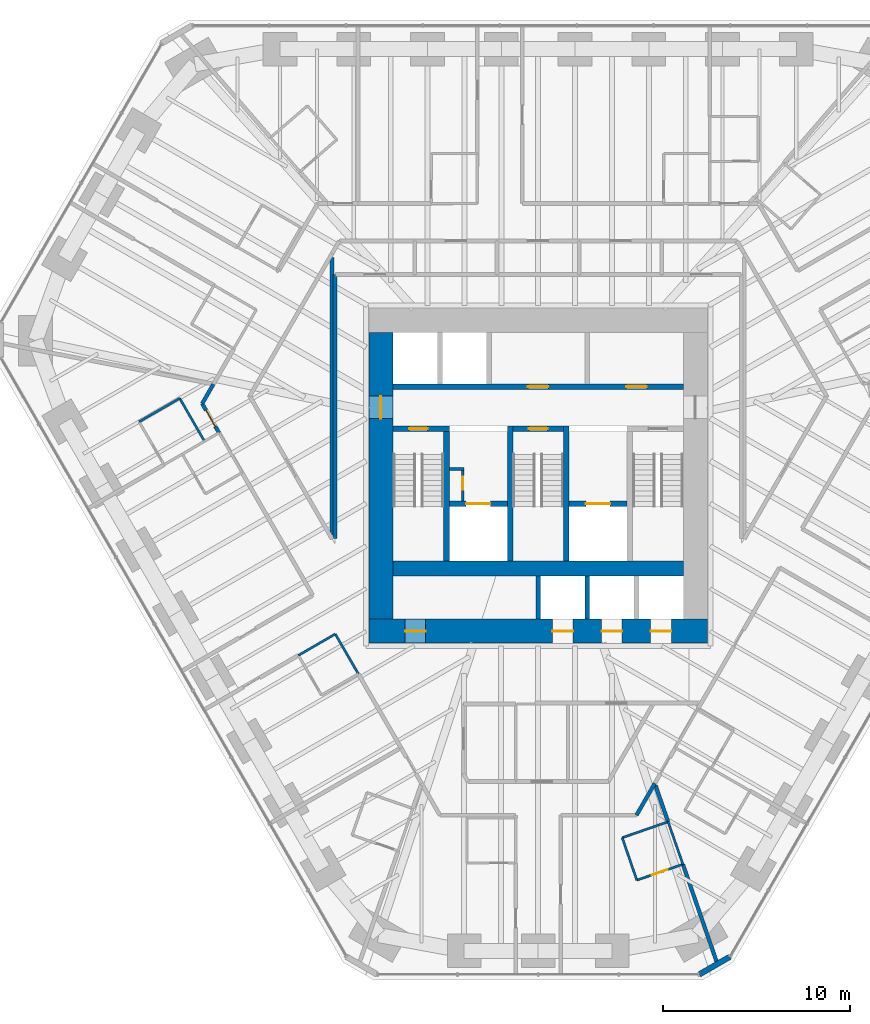
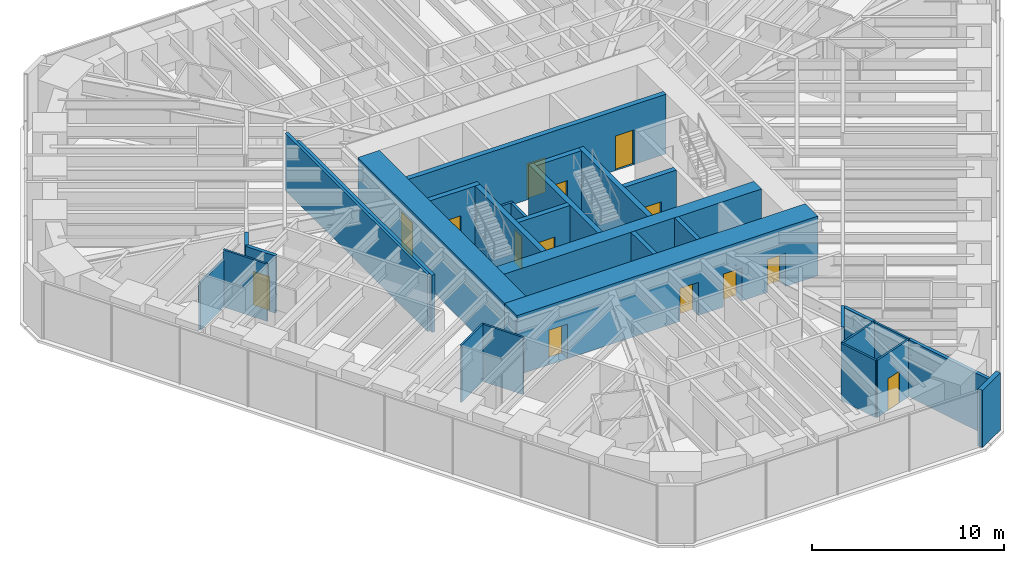
# One storey, part 12 of 17: 31 walls, 14 doors, 14 openings.
"""IFC4 building model written with IfcOpenShell, lengths in metres."""

from ifc_helpers import new_model, si_unit, direction, frame, frame_2d, origin, place, context, subcontext, project, spatial, rectangle, extrude, material, layer, layer_set, type_object, element, fill, save


model = new_model("IFC4")

# Units and contexts
model_context = context("Model", 3, precision=1e-05, world=origin(), true_north=direction((0.0, 1.0)))
body_context = subcontext(model_context, "Body", "Model", "MODEL_VIEW")
ifc_project = project(units=[si_unit("LENGTHUNIT", "METRE"), si_unit("AREAUNIT", "SQUARE_METRE"), si_unit("VOLUMEUNIT", "CUBIC_METRE"), si_unit("PLANEANGLEUNIT", "RADIAN"), si_unit("MASSUNIT", "GRAM", prefix="KILO")], contexts=[model_context])

# Site, building, storey
site_placement = place(None, origin())
site = spatial("IfcSite", under=ifc_project, at=site_placement, CompositionType="ELEMENT")
building_placement = place(site_placement, origin())
building = spatial("IfcBuilding", under=site, at=building_placement, Name="Sandreach Pilgrim Tower", CompositionType="ELEMENT")
storey_placement = place(building_placement, frame((0.0, 0.0, 108.199951171875)))
storey = spatial("IfcBuildingStorey", under=building, at=storey_placement, Name="L26", CompositionType="ELEMENT", Elevation=108.199951171875)

# Walls
ifc_material_1 = material(Name="Moisture-resistant gypsum board on steel studs", Category="steel")
ifc_layer_1 = layer(ifc_material_1, 0.1201171875)
ifc_layer_set_1 = layer_set([ifc_layer_1], Name="Bathroom partition 120")
wall_type_1 = type_object("IfcWallType", Name="Bathroom partition 120", PredefinedType="PARTITIONING", material=ifc_layer_set_1)
wall_1_placement = place(storey_placement, frame((-19.14990234375, 2.580078125, 0.0), z_axis=(0.0, 0.0, 1.0), x_axis=(-0.86653430447, -0.499117520406, 0.0)))
element("IfcWall", 1, at=wall_1_placement, inside=storey, type_object=wall_type_1, Name="Bathroom partition L26-008", PredefinedType="PARTITIONING", context=body_context, shape_type="SweptSolid", body=[
    extrude(rectangle(XDim=2.50439453125, YDim=0.1201171875, at=frame_2d((1.252197265625, 0.0))), origin(), (0.0, 0.0, 1.0), 3.0380859375),
])
wall_2_placement = place(storey_placement, frame((-17.830078125, 0.2900390625, 0.0), z_axis=(0.0, 0.0, 1.0), x_axis=(-0.499338582192, 0.866406936915, 0.0)))
element("IfcWall", 2, at=wall_2_placement, inside=storey, type_object=wall_type_1, Name="Bathroom partition L26-015", PredefinedType="PARTITIONING", context=body_context, shape_type="SweptSolid", body=[
    extrude(rectangle(XDim=2.64306640625, YDim=0.1201171875, at=frame_2d((1.321533203125, 0.0))), origin(), (0.0, 0.0, 1.0), 3.64013671875),
])
wall_3_placement = place(storey_placement, frame((-12.81005859375, -11.14990234375, 0.0), z_axis=(0.0, 0.0, 1.0), x_axis=(0.865543766642, 0.500833293649, 0.0)))
element("IfcWall", 3, at=wall_3_placement, inside=storey, type_object=wall_type_1, Name="Bathroom partition L26-033", PredefinedType="PARTITIONING", context=body_context, shape_type="SweptSolid", body=[
    extrude(rectangle(XDim=2.27587890625, YDim=0.1201171875, at=frame_2d((1.137939453125, 0.0))), origin(), (0.0, 0.0, 1.0), 3.64013671875),
])
wall_4_placement = place(storey_placement, frame((-10.840087890625, -10.010009765625, 0.0), z_axis=(0.0, 0.0, 1.0), x_axis=(0.500089055364, -0.86597398154, 0.0)))
element("IfcWall", 4, at=wall_4_placement, inside=storey, type_object=wall_type_1, Name="Bathroom partition L26-045", PredefinedType="PARTITIONING", context=body_context, shape_type="SweptSolid", body=[
    extrude(rectangle(XDim=2.45947265625, YDim=0.1201171875, at=frame_2d((1.229736328125, 0.0))), origin(), (0.0, 0.0, 1.0), 3.64013671875),
])
wall_5_placement = place(storey_placement, frame((4.489990234375, -20.889892578125, 0.0), z_axis=(0.0, 0.0, 1.0), x_axis=(0.324971746724, -0.945723724896, 0.0)))
element("IfcWall", 5, at=wall_5_placement, inside=storey, type_object=wall_type_1, Name="Bathroom partition L26-093", PredefinedType="PARTITIONING", context=body_context, shape_type="SweptSolid", body=[
    extrude(rectangle(XDim=2.400390625, YDim=0.1201171875, at=frame_2d((1.2001953125, 0.0))), origin(), (0.0, 0.0, 1.0), 3.64013671875),
])

# Wall, opening, door
wall_6_placement = place(storey_placement, frame((5.27001953125, -23.159912109375, 0.0), z_axis=(0.0, 0.0, 1.0), x_axis=(0.945184415197, 0.326537013627, 0.0)))
wall_6 = element("IfcWall", 6, at=wall_6_placement, inside=storey, type_object=wall_type_1, Name="Bathroom partition L26-095", PredefinedType="PARTITIONING", context=body_context, shape_type="SweptSolid", body=[
    extrude(rectangle(XDim=2.6025390625, YDim=0.1201171875, at=frame_2d((1.30126953125, 0.0))), origin(), (0.0, 0.0, 1.0), 3.64013671875),
])
opening_1_placement = place(wall_6_placement, frame((0.85009765625, 0.0, 0.0)))
opening_1 = element("IfcOpeningElement", 7, at=opening_1_placement, cuts=wall_6, Name="Opening D09-10B", PredefinedType="OPENING", context=body_context, shape_type="SweptSolid", body=[
    extrude(rectangle(XDim=0.89990234375, YDim=2.030029296875, at=frame_2d((0.449951171875, 1.01513671875))), frame((0.0, 0.06005859375, 0.0), z_axis=(0.0, -1.0, 0.0), x_axis=(1.0, 0.0, 0.0)), (0.0, 0.0, 1.0), 0.1201171875),
])
ifc_material_2 = material(Name="Timber door, steel frame", Category="steel")
door_type_1 = type_object("IfcDoorType", Name="Bathroom door", OperationType="SINGLE_SWING_LEFT", PredefinedType="DOOR", material=ifc_material_2)
door_1_placement = place(opening_1_placement, origin())
door_1 = element("IfcDoor", 8, at=door_1_placement, inside=storey, type_object=door_type_1, Name="Door 2610B", OperationType="SINGLE_SWING_LEFT", OverallHeight=2.030029296875, OverallWidth=0.89990234375, PredefinedType="DOOR", context=body_context, shape_type="SweptSolid", body=[
    extrude(rectangle(XDim=0.89990234375, YDim=2.030029296875, at=frame_2d((0.449951171875, 1.01513671875))), frame((0.0, 0.02490234375, 0.0), z_axis=(0.0, -1.0, 0.0), x_axis=(1.0, 0.0, 0.0)), (0.0, 0.0, 1.0), 0.050048828125),
])
fill(opening_1, door_1)

# Walls
wall_7_placement = place(storey_placement, frame((6.93994140625, -20.0400390625, 0.0), z_axis=(0.0, 0.0, 1.0), x_axis=(-0.944772080486, -0.327728112822, 0.0)))
element("IfcWall", 9, at=wall_7_placement, inside=storey, type_object=wall_type_1, Name="Bathroom partition L26-104", PredefinedType="PARTITIONING", context=body_context, shape_type="SweptSolid", body=[
    extrude(rectangle(XDim=2.59326171875, YDim=0.1201171875, at=frame_2d((1.296630859375, 0.0))), origin(), (0.0, 0.0, 1.0), 3.64013671875),
])
wall_8_placement = place(storey_placement, frame((6.93994140625, -20.0400390625, 0.0), z_axis=(0.0, 0.0, 1.0), x_axis=(0.328693963496, -0.944436487203, 0.0)))
element("IfcWall", 10, at=wall_8_placement, inside=storey, type_object=wall_type_1, Name="Bathroom partition L26-105", PredefinedType="PARTITIONING", context=body_context, shape_type="SweptSolid", body=[
    extrude(rectangle(XDim=2.403564453125, YDim=0.1201171875, at=frame_2d((1.20166015625, 0.0))), origin(), (0.0, 0.0, 1.0), 3.64013671875),
])
ifc_material_3 = material(Name="Concrete 10000 psi", Category="concrete")
ifc_layer_2 = layer(ifc_material_3, 0.300048828125)
ifc_layer_set_2 = layer_set([ifc_layer_2], Name="Core inner wall 300")
wall_type_2 = type_object("IfcWallType", Name="Core inner wall 300", PredefinedType="SHEAR", material=ifc_layer_set_2)
for number, where, z_axis, x_axis, name in (
    (11, (-4.89990234375, -6.10009765625, 0.0), (0.0, 0.0, 1.0), (0.0, 1.0, 0.0), "Core wall I0 L26"),
    (12, (-1.5, -6.10009765625, 0.0), (0.0, 0.0, 1.0), (0.0, 1.0, 0.0), "Core wall I1 L26"),
    (13, (1.5, -6.10009765625, 0.0), (0.0, 0.0, 1.0), (0.0, 1.0, 0.0), "Core wall I2 L26"),
):
    element("IfcWall", number, at=place(storey_placement, frame(where, z_axis=z_axis, x_axis=x_axis)), inside=storey, type_object=wall_type_2, Name=name, PredefinedType="SHEAR", context=body_context, shape_type="SweptSolid", body=[
        extrude(rectangle(XDim=7.2001953125, YDim=0.300048828125, at=frame_2d((3.60009765625, 0.0))), origin(), (0.0, 0.0, 1.0), 3.800048828125),
    ])

# Wall, opening, door
wall_9_placement = place(storey_placement, frame((-7.75, 0.949951171875, 0.0), z_axis=(0.0, 0.0, 1.0), x_axis=(1.0, 0.0, 0.0)))
wall_9 = element("IfcWall", 14, at=wall_9_placement, inside=storey, type_object=wall_type_2, Name="Core wall SN1 L26", PredefinedType="SHEAR", context=body_context, shape_type="SweptSolid", body=[
    extrude(rectangle(XDim=3.0, YDim=0.300048828125, at=frame_2d((1.5, 0.0))), origin(), (0.0, 0.0, 1.0), 3.800048828125),
])
opening_2_placement = place(wall_9_placement, frame((0.85009765625, 0.0, 0.0)))
opening_2 = element("IfcOpeningElement", 15, at=opening_2_placement, cuts=wall_9, Name="Opening D10S-ST1", PredefinedType="OPENING", context=body_context, shape_type="SweptSolid", body=[
    extrude(rectangle(XDim=1.0, YDim=2.199951171875, at=frame_2d((0.5, 1.10009765625))), frame((0.0, 0.14990234375, 0.0), z_axis=(0.0, -1.0, 0.0), x_axis=(1.0, 0.0, 0.0)), (0.0, 0.0, 1.0), 0.300048828125),
])
ifc_material_4 = material(Name="Steel door and frame", Category="steel")
door_type_2 = type_object("IfcDoorType", Name="Stair door", OperationType="SINGLE_SWING_LEFT", PredefinedType="DOOR", material=ifc_material_4)
door_2_placement = place(opening_2_placement, origin())
door_2 = element("IfcDoor", 16, at=door_2_placement, inside=storey, type_object=door_type_2, Name="Stair door ST1 L26", OperationType="SINGLE_SWING_LEFT", OverallHeight=2.199951171875, OverallWidth=1.0, PredefinedType="DOOR", context=body_context, shape_type="SweptSolid", body=[
    extrude(rectangle(XDim=1.0, YDim=2.199951171875, at=frame_2d((0.5, 1.10009765625))), frame((0.0, 0.02490234375, 0.0), z_axis=(0.0, -1.0, 0.0), x_axis=(1.0, 0.0, 0.0)), (0.0, 0.0, 1.0), 0.050048828125),
])
fill(opening_2, door_2)

wall_10_placement = place(storey_placement, frame((-1.35009765625, 0.949951171875, 0.0), z_axis=(0.0, 0.0, 1.0), x_axis=(1.0, 0.0, 0.0)))
wall_10 = element("IfcWall", 17, at=wall_10_placement, inside=storey, type_object=wall_type_2, Name="Core wall SN3 L26", PredefinedType="SHEAR", context=body_context, shape_type="SweptSolid", body=[
    extrude(rectangle(XDim=2.7001953125, YDim=0.300048828125, at=frame_2d((1.35009765625, 0.0))), origin(), (0.0, 0.0, 1.0), 3.800048828125),
])
opening_3_placement = place(wall_10_placement, frame((0.85009765625, 0.0, 0.0)))
opening_3 = element("IfcOpeningElement", 18, at=opening_3_placement, cuts=wall_10, Name="Opening D10S-ST3", PredefinedType="OPENING", context=body_context, shape_type="SweptSolid", body=[
    extrude(rectangle(XDim=1.0, YDim=2.199951171875, at=frame_2d((0.5, 1.10009765625))), frame((0.0, 0.14990234375, 0.0), z_axis=(0.0, -1.0, 0.0), x_axis=(1.0, 0.0, 0.0)), (0.0, 0.0, 1.0), 0.300048828125),
])
door_3_placement = place(opening_3_placement, origin())
door_3 = element("IfcDoor", 19, at=door_3_placement, inside=storey, type_object=door_type_2, Name="Stair door ST3 L26", OperationType="SINGLE_SWING_LEFT", OverallHeight=2.199951171875, OverallWidth=1.0, PredefinedType="DOOR", context=body_context, shape_type="SweptSolid", body=[
    extrude(rectangle(XDim=1.0, YDim=2.199951171875, at=frame_2d((0.5, 1.10009765625))), frame((0.0, 0.02490234375, 0.0), z_axis=(0.0, -1.0, 0.0), x_axis=(1.0, 0.0, 0.0)), (0.0, 0.0, 1.0), 0.050048828125),
])
fill(opening_3, door_3)

wall_11_placement = place(storey_placement, frame((-4.75, -3.050048828125, 0.0), z_axis=(0.0, 0.0, 1.0), x_axis=(1.0, 0.0, 0.0)))
wall_11 = element("IfcWall", 20, at=wall_11_placement, inside=storey, type_object=wall_type_2, Name="Core wall FL1 L26", PredefinedType="SHEAR", context=body_context, shape_type="SweptSolid", body=[
    extrude(rectangle(XDim=3.10009765625, YDim=0.300048828125, at=frame_2d((1.550048828125, 0.0))), origin(), (0.0, 0.0, 1.0), 3.800048828125),
])
opening_4_placement = place(wall_11_placement, frame((0.89990234375, 0.0, 0.0)))
opening_4 = element("IfcOpeningElement", 21, at=opening_4_placement, cuts=wall_11, Name="Opening LD13", PredefinedType="OPENING", context=body_context, shape_type="SweptSolid", body=[
    extrude(rectangle(XDim=1.300048828125, YDim=2.10009765625, at=frame_2d((0.64990234375, 1.050048828125))), frame((0.0, 0.14990234375, 0.0), z_axis=(0.0, -1.0, 0.0), x_axis=(1.0, 0.0, 0.0)), (0.0, 0.0, 1.0), 0.300048828125),
])
ifc_material_5 = material(Name="Steel door and frame", Category="steel")
door_type_3 = type_object("IfcDoorType", Name="Fire service lift landing door", OperationType="DOUBLE_DOOR_SLIDING", PredefinedType="DOOR", material=ifc_material_5)
door_4_placement = place(opening_4_placement, origin())
door_4 = element("IfcDoor", 22, at=door_4_placement, inside=storey, type_object=door_type_3, Name="Lift landing door FS1 L26", OperationType="DOUBLE_DOOR_SLIDING", OverallHeight=2.10009765625, OverallWidth=1.300048828125, PredefinedType="DOOR", context=body_context, shape_type="SweptSolid", body=[
    extrude(rectangle(XDim=1.300048828125, YDim=2.10009765625, at=frame_2d((0.64990234375, 1.050048828125))), frame((0.0, 0.02490234375, 0.0), z_axis=(0.0, -1.0, 0.0), x_axis=(1.0, 0.0, 0.0)), (0.0, 0.0, 1.0), 0.050048828125),
])
fill(opening_4, door_4)

wall_12_placement = place(storey_placement, frame((1.64990234375, -3.050048828125, 0.0), z_axis=(0.0, 0.0, 1.0), x_axis=(1.0, 0.0, 0.0)))
wall_12 = element("IfcWall", 23, at=wall_12_placement, inside=storey, type_object=wall_type_2, Name="Core wall FL2 L26", PredefinedType="SHEAR", context=body_context, shape_type="SweptSolid", body=[
    extrude(rectangle(XDim=3.10009765625, YDim=0.300048828125, at=frame_2d((1.550048828125, 0.0))), origin(), (0.0, 0.0, 1.0), 3.800048828125),
])
opening_5_placement = place(wall_12_placement, frame((0.89990234375, 0.0, 0.0)))
opening_5 = element("IfcOpeningElement", 24, at=opening_5_placement, cuts=wall_12, Name="Opening LD13", PredefinedType="OPENING", context=body_context, shape_type="SweptSolid", body=[
    extrude(rectangle(XDim=1.300048828125, YDim=2.10009765625, at=frame_2d((0.64990234375, 1.050048828125))), frame((0.0, 0.14990234375, 0.0), z_axis=(0.0, -1.0, 0.0), x_axis=(1.0, 0.0, 0.0)), (0.0, 0.0, 1.0), 0.300048828125),
])
door_5_placement = place(opening_5_placement, origin())
door_5 = element("IfcDoor", 25, at=door_5_placement, inside=storey, type_object=door_type_3, Name="Lift landing door FS2 L26", OperationType="DOUBLE_DOOR_SLIDING", OverallHeight=2.10009765625, OverallWidth=1.300048828125, PredefinedType="DOOR", context=body_context, shape_type="SweptSolid", body=[
    extrude(rectangle(XDim=1.300048828125, YDim=2.10009765625, at=frame_2d((0.64990234375, 1.050048828125))), frame((0.0, 0.02490234375, 0.0), z_axis=(0.0, -1.0, 0.0), x_axis=(1.0, 0.0, 0.0)), (0.0, 0.0, 1.0), 0.050048828125),
])
fill(opening_5, door_5)

# Wall, openings, doors
wall_13_placement = place(storey_placement, frame((-7.75, 3.199951171875, 0.0), z_axis=(0.0, 0.0, 1.0), x_axis=(1.0, 0.0, 0.0)))
wall_13 = element("IfcWall", 26, at=wall_13_placement, inside=storey, type_object=wall_type_2, Name="Core wall PN L26", PredefinedType="SHEAR", context=body_context, shape_type="SweptSolid", body=[
    extrude(rectangle(XDim=15.5, YDim=0.300048828125, at=frame_2d((7.75, 0.0))), origin(), (0.0, 0.0, 1.0), 3.800048828125),
])
opening_6_placement = place(wall_13_placement, frame((7.199951171875, 0.0, 0.0)))
opening_6 = element("IfcOpeningElement", 27, at=opening_6_placement, cuts=wall_13, Name="Opening D11L", PredefinedType="OPENING", context=body_context, shape_type="SweptSolid", body=[
    extrude(rectangle(XDim=1.10009765625, YDim=2.199951171875, at=frame_2d((0.550048828125, 1.10009765625))), frame((0.0, 0.14990234375, 0.0), z_axis=(0.0, -1.0, 0.0), x_axis=(1.0, 0.0, 0.0)), (0.0, 0.0, 1.0), 0.300048828125),
])
opening_7_placement = place(wall_13_placement, frame((12.449951171875, 0.0, 0.0)))
opening_7 = element("IfcOpeningElement", 28, at=opening_7_placement, cuts=wall_13, Name="Opening D11L", PredefinedType="OPENING", context=body_context, shape_type="SweptSolid", body=[
    extrude(rectangle(XDim=1.10009765625, YDim=2.199951171875, at=frame_2d((0.550048828125, 1.10009765625))), frame((0.0, 0.14990234375, 0.0), z_axis=(0.0, -1.0, 0.0), x_axis=(1.0, 0.0, 0.0)), (0.0, 0.0, 1.0), 0.300048828125),
])
ifc_material_6 = material(Name="Steel door and frame, smoke seals", Category="steel")
door_type_4 = type_object("IfcDoorType", Name="Core room door", OperationType="SINGLE_SWING_LEFT", PredefinedType="DOOR", material=ifc_material_6)
door_6_placement = place(opening_6_placement, origin())
door_6 = element("IfcDoor", 29, at=door_6_placement, inside=storey, type_object=door_type_4, Name="Door guest pantry 26K1", OperationType="SINGLE_SWING_LEFT", OverallHeight=2.199951171875, OverallWidth=1.10009765625, PredefinedType="DOOR", context=body_context, shape_type="SweptSolid", body=[
    extrude(rectangle(XDim=1.10009765625, YDim=2.199951171875, at=frame_2d((0.550048828125, 1.10009765625))), frame((0.0, 0.02490234375, 0.0), z_axis=(0.0, -1.0, 0.0), x_axis=(1.0, 0.0, 0.0)), (0.0, 0.0, 1.0), 0.050048828125),
])
fill(opening_6, door_6)
door_7_placement = place(opening_7_placement, origin())
door_7 = element("IfcDoor", 30, at=door_7_placement, inside=storey, type_object=door_type_4, Name="Door it room 26K2", OperationType="SINGLE_SWING_RIGHT", OverallHeight=2.199951171875, OverallWidth=1.10009765625, PredefinedType="DOOR", context=body_context, shape_type="SweptSolid", body=[
    extrude(rectangle(XDim=1.10009765625, YDim=2.199951171875, at=frame_2d((0.550048828125, 1.10009765625))), frame((0.0, 0.02490234375, 0.0), z_axis=(0.0, -1.0, 0.0), x_axis=(1.0, 0.0, 0.0)), (0.0, 0.0, 1.0), 0.050048828125),
])
fill(opening_7, door_7)

# Wall
ifc_material_7 = material(Name="Concrete 10000 psi", Category="concrete")
ifc_layer_3 = layer(ifc_material_7, 0.800048828125)
ifc_layer_set_3 = layer_set([ifc_layer_3], Name="Core mid wall 800")
wall_type_3 = type_object("IfcWallType", Name="Core mid wall 800", PredefinedType="SHEAR", material=ifc_layer_set_3)
wall_14_placement = place(storey_placement, frame((-7.75, -6.5, 0.0), z_axis=(0.0, 0.0, 1.0), x_axis=(1.0, 0.0, 0.0)))
element("IfcWall", 31, at=wall_14_placement, inside=storey, type_object=wall_type_3, Name="Core wall M L26", PredefinedType="SHEAR", context=body_context, shape_type="SweptSolid", body=[
    extrude(rectangle(XDim=15.5, YDim=0.800048828125, at=frame_2d((7.75, 0.0))), origin(), (0.0, 0.0, 1.0), 3.800048828125),
])

# Wall, openings, doors
ifc_material_8 = material(Name="Concrete 10000 psi", Category="concrete")
ifc_layer_4 = layer(ifc_material_8, 1.300048828125)
ifc_layer_set_4 = layer_set([ifc_layer_4], Name="Core wall 1300")
wall_type_4 = type_object("IfcWallType", Name="Core wall 1300", PredefinedType="SHEAR", material=ifc_layer_set_4)
wall_15_placement = place(storey_placement, frame((-9.050048828125, -9.85009765625, 0.0), z_axis=(0.0, 0.0, 1.0), x_axis=(1.0, 0.0, 0.0)))
wall_15 = element("IfcWall", 32, at=wall_15_placement, inside=storey, type_object=wall_type_4, Name="Core wall S L26", PredefinedType="SHEAR", context=body_context, shape_type="SweptSolid", body=[
    extrude(rectangle(XDim=18.10009765625, YDim=1.300048828125, at=frame_2d((9.050048828125, 0.0))), origin(), (0.0, 0.0, 1.0), 3.800048828125),
])
opening_8_placement = place(wall_15_placement, frame((1.9375, 0.0, 0.0)))
opening_8 = element("IfcOpeningElement", 33, at=opening_8_placement, cuts=wall_15, Name="Opening D11H", PredefinedType="OPENING", context=body_context, shape_type="SweptSolid", body=[
    extrude(rectangle(XDim=1.10009765625, YDim=2.199951171875, at=frame_2d((0.550048828125, 1.10009765625))), frame((0.0, 0.64990234375, 0.0), z_axis=(0.0, -1.0, 0.0), x_axis=(1.0, 0.0, 0.0)), (0.0, 0.0, 1.0), 1.300048828125),
])
opening_9_placement = place(wall_15_placement, frame((9.8125, 0.0, 0.0)))
opening_9 = element("IfcOpeningElement", 34, at=opening_9_placement, cuts=wall_15, Name="Opening LD11", PredefinedType="OPENING", context=body_context, shape_type="SweptSolid", body=[
    extrude(rectangle(XDim=1.10009765625, YDim=2.10009765625, at=frame_2d((0.550048828125, 1.050048828125))), frame((0.0, 0.64990234375, 0.0), z_axis=(0.0, -1.0, 0.0), x_axis=(1.0, 0.0, 0.0)), (0.0, 0.0, 1.0), 1.300048828125),
])
opening_10_placement = place(wall_15_placement, frame((12.4375, 0.0, 0.0)))
opening_10 = element("IfcOpeningElement", 35, at=opening_10_placement, cuts=wall_15, Name="Opening LD11", PredefinedType="OPENING", context=body_context, shape_type="SweptSolid", body=[
    extrude(rectangle(XDim=1.10009765625, YDim=2.10009765625, at=frame_2d((0.550048828125, 1.050048828125))), frame((0.0, 0.64990234375, 0.0), z_axis=(0.0, -1.0, 0.0), x_axis=(1.0, 0.0, 0.0)), (0.0, 0.0, 1.0), 1.300048828125),
])
opening_11_placement = place(wall_15_placement, frame((15.0625, 0.0, 0.0)))
opening_11 = element("IfcOpeningElement", 36, at=opening_11_placement, cuts=wall_15, Name="Opening LD11", PredefinedType="OPENING", context=body_context, shape_type="SweptSolid", body=[
    extrude(rectangle(XDim=1.10009765625, YDim=2.10009765625, at=frame_2d((0.550048828125, 1.050048828125))), frame((0.0, 0.64990234375, 0.0), z_axis=(0.0, -1.0, 0.0), x_axis=(1.0, 0.0, 0.0)), (0.0, 0.0, 1.0), 1.300048828125),
])
ifc_material_9 = material(Name="Steel door and frame", Category="steel")
door_type_5 = type_object("IfcDoorType", Name="Back of house door", OperationType="SINGLE_SWING_LEFT", PredefinedType="DOOR", material=ifc_material_9)
door_8_placement = place(opening_8_placement, origin())
door_8 = element("IfcDoor", 37, at=door_8_placement, inside=storey, type_object=door_type_5, Name="Door staff room 26K3", OperationType="SINGLE_SWING_LEFT", OverallHeight=2.199951171875, OverallWidth=1.10009765625, PredefinedType="DOOR", context=body_context, shape_type="SweptSolid", body=[
    extrude(rectangle(XDim=1.10009765625, YDim=2.199951171875, at=frame_2d((0.550048828125, 1.10009765625))), frame((0.0, 0.02490234375, 0.0), z_axis=(0.0, -1.0, 0.0), x_axis=(1.0, 0.0, 0.0)), (0.0, 0.0, 1.0), 0.050048828125),
])
fill(opening_8, door_8)
ifc_material_10 = material(Name="Steel door and frame", Category="steel")
door_type_6 = type_object("IfcDoorType", Name="Lift landing door", OperationType="DOUBLE_DOOR_SLIDING", PredefinedType="DOOR", material=ifc_material_10)
door_9_placement = place(opening_9_placement, origin())
door_9 = element("IfcDoor", 38, at=door_9_placement, inside=storey, type_object=door_type_6, Name="Lift landing door Z2A L26", OperationType="DOUBLE_DOOR_SLIDING", OverallHeight=2.10009765625, OverallWidth=1.10009765625, PredefinedType="DOOR", context=body_context, shape_type="SweptSolid", body=[
    extrude(rectangle(XDim=1.10009765625, YDim=2.10009765625, at=frame_2d((0.550048828125, 1.050048828125))), frame((0.0, 0.02490234375, 0.0), z_axis=(0.0, -1.0, 0.0), x_axis=(1.0, 0.0, 0.0)), (0.0, 0.0, 1.0), 0.050048828125),
])
fill(opening_9, door_9)
door_10_placement = place(opening_10_placement, origin())
door_10 = element("IfcDoor", 39, at=door_10_placement, inside=storey, type_object=door_type_6, Name="Lift landing door Z2B L26", OperationType="DOUBLE_DOOR_SLIDING", OverallHeight=2.10009765625, OverallWidth=1.10009765625, PredefinedType="DOOR", context=body_context, shape_type="SweptSolid", body=[
    extrude(rectangle(XDim=1.10009765625, YDim=2.10009765625, at=frame_2d((0.550048828125, 1.050048828125))), frame((0.0, 0.02490234375, 0.0), z_axis=(0.0, -1.0, 0.0), x_axis=(1.0, 0.0, 0.0)), (0.0, 0.0, 1.0), 0.050048828125),
])
fill(opening_10, door_10)
door_11_placement = place(opening_11_placement, origin())
door_11 = element("IfcDoor", 40, at=door_11_placement, inside=storey, type_object=door_type_6, Name="Lift landing door Z2C L26", OperationType="DOUBLE_DOOR_SLIDING", OverallHeight=2.10009765625, OverallWidth=1.10009765625, PredefinedType="DOOR", context=body_context, shape_type="SweptSolid", body=[
    extrude(rectangle(XDim=1.10009765625, YDim=2.10009765625, at=frame_2d((0.550048828125, 1.050048828125))), frame((0.0, 0.02490234375, 0.0), z_axis=(0.0, -1.0, 0.0), x_axis=(1.0, 0.0, 0.0)), (0.0, 0.0, 1.0), 0.050048828125),
])
fill(opening_11, door_11)

# Wall, opening, door
wall_16_placement = place(storey_placement, frame((-8.39990234375, -9.199951171875, 0.0), z_axis=(0.0, 0.0, 1.0), x_axis=(0.0, 1.0, 0.0)))
wall_16 = element("IfcWall", 41, at=wall_16_placement, inside=storey, type_object=wall_type_4, Name="Core wall W L26", PredefinedType="SHEAR", context=body_context, shape_type="SweptSolid", body=[
    extrude(rectangle(XDim=15.300048828125, YDim=1.300048828125, at=frame_2d((7.64990234375, 0.0))), origin(), (0.0, 0.0, 1.0), 3.800048828125),
])
opening_12_placement = place(wall_16_placement, frame((10.699951171875, 0.0, 0.0)))
opening_12 = element("IfcOpeningElement", 42, at=opening_12_placement, cuts=wall_16, Name="Opening D12F-W", PredefinedType="OPENING", context=body_context, shape_type="SweptSolid", body=[
    extrude(rectangle(XDim=1.199951171875, YDim=2.199951171875, at=frame_2d((0.60009765625, 1.10009765625))), frame((0.0, 0.64990234375, 0.0), z_axis=(0.0, -1.0, 0.0), x_axis=(1.0, 0.0, 0.0)), (0.0, 0.0, 1.0), 1.300048828125),
])
ifc_material_11 = material(Name="Steel door and frame", Category="steel")
door_type_7 = type_object("IfcDoorType", Name="Fire lobby door", OperationType="SINGLE_SWING_LEFT", PredefinedType="DOOR", material=ifc_material_11)
door_12_placement = place(opening_12_placement, origin())
door_12 = element("IfcDoor", 43, at=door_12_placement, inside=storey, type_object=door_type_7, Name="Fire service lobby door W L26", OperationType="SINGLE_SWING_RIGHT", OverallHeight=2.199951171875, OverallWidth=1.199951171875, PredefinedType="DOOR", context=body_context, shape_type="SweptSolid", body=[
    extrude(rectangle(XDim=1.199951171875, YDim=2.199951171875, at=frame_2d((0.60009765625, 1.10009765625))), frame((0.0, 0.02490234375, 0.0), z_axis=(0.0, -1.0, 0.0), x_axis=(1.0, 0.0, 0.0)), (0.0, 0.0, 1.0), 0.050048828125),
])
fill(opening_12, door_12)

# Wall
ifc_material_12 = material(Name="Gypsum board on steel studs, two layers each side", Category="steel")
ifc_layer_5 = layer(ifc_material_12, 0.199951171875)
ifc_layer_set_5 = layer_set([ifc_layer_5], Name="Corridor wall 200")
wall_type_5 = type_object("IfcWallType", Name="Corridor wall 200", PredefinedType="PARTITIONING", material=ifc_layer_set_5)
wall_17_placement = place(storey_placement, frame((-17.949951171875, 2.300048828125, 0.0), z_axis=(0.0, 0.0, 1.0), x_axis=(0.499616828121, 0.866246515178, 0.0)))
element("IfcWall", 44, at=wall_17_placement, inside=storey, type_object=wall_type_5, Name="Corridor wall L26-013", PredefinedType="PARTITIONING", context=body_context, shape_type="SweptSolid", body=[
    extrude(rectangle(XDim=1.20068359375, YDim=0.199951171875, at=frame_2d((0.600341796875, 0.0))), origin(), (0.0, 0.0, 1.0), 3.64013671875),
])

# Wall, opening, door
wall_18_placement = place(storey_placement, frame((-17.949951171875, 2.300048828125, 0.0), z_axis=(0.0, 0.0, 1.0), x_axis=(0.499667687562, -0.866217179469, 0.0)))
wall_18 = element("IfcWall", 45, at=wall_18_placement, inside=storey, type_object=wall_type_5, Name="Corridor wall L26-014", PredefinedType="PARTITIONING", context=body_context, shape_type="SweptSolid", body=[
    extrude(rectangle(XDim=1.801025390625, YDim=0.199951171875, at=frame_2d((0.900390625, 0.0))), origin(), (0.0, 0.0, 1.0), 3.64013671875),
])
opening_13_placement = place(wall_18_placement, frame((0.400390625, 0.0, 0.0)))
opening_13 = element("IfcOpeningElement", 46, at=opening_13_placement, cuts=wall_18, Name="Opening D10-15", PredefinedType="OPENING", context=body_context, shape_type="SweptSolid", body=[
    extrude(rectangle(XDim=1.0, YDim=2.1298828125, at=frame_2d((0.5, 1.06494140625))), frame((0.0, 0.10009765625, 0.0), z_axis=(0.0, -1.0, 0.0), x_axis=(1.0, 0.0, 0.0)), (0.0, 0.0, 1.0), 0.199951171875),
])
ifc_material_13 = material(Name="Steel door and frame", Category="steel")
door_type_8 = type_object("IfcDoorType", Name="Guest room entry door", OperationType="SINGLE_SWING_LEFT", PredefinedType="DOOR", material=ifc_material_13)
door_13_placement = place(opening_13_placement, origin())
door_13 = element("IfcDoor", 47, at=door_13_placement, inside=storey, type_object=door_type_8, Name="Door 2615", OperationType="SINGLE_SWING_LEFT", OverallHeight=2.1298828125, OverallWidth=1.0, PredefinedType="DOOR", context=body_context, shape_type="SweptSolid", body=[
    extrude(rectangle(XDim=1.0, YDim=2.1298828125, at=frame_2d((0.5, 1.06494140625))), frame((0.0, 0.02490234375, 0.0), z_axis=(0.0, -1.0, 0.0), x_axis=(1.0, 0.0, 0.0)), (0.0, 0.0, 1.0), 0.050048828125),
])
fill(opening_13, door_13)

# Walls
wall_19_placement = place(storey_placement, frame((-10.85009765625, 9.199951171875, 0.0), z_axis=(0.0, 0.0, 1.0), x_axis=(0.0, -1.0, 0.0)))
element("IfcWall", 48, at=wall_19_placement, inside=storey, type_object=wall_type_5, Name="Corridor wall L26-044", PredefinedType="PARTITIONING", context=body_context, shape_type="SweptSolid", body=[
    extrude(rectangle(XDim=14.10986328125, YDim=0.199951171875, at=frame_2d((7.054931640625, 0.0))), origin(), (0.0, 0.0, 1.0), 3.64013671875),
])
wall_20_placement = place(storey_placement, frame((5.25, -19.68994140625, 0.0), z_axis=(0.0, 0.0, 1.0), x_axis=(0.499431599995, 0.866353321068, 0.0)))
element("IfcWall", 49, at=wall_20_placement, inside=storey, type_object=wall_type_5, Name="Corridor wall L26-094", PredefinedType="PARTITIONING", context=body_context, shape_type="SweptSolid", body=[
    extrude(rectangle(XDim=1.962158203125, YDim=0.199951171875, at=frame_2d((0.98095703125, 0.0))), origin(), (0.0, 0.0, 1.0), 3.64013671875),
])
ifc_material_14 = material(Name="Double steel stud acoustic wall, gypsum board", Category="steel")
ifc_layer_6 = layer(ifc_material_14, 0.199951171875)
ifc_layer_set_6 = layer_set([ifc_layer_6], Name="Party wall 200")
wall_type_6 = type_object("IfcWallType", Name="Party wall 200", PredefinedType="PARTITIONING", material=ifc_layer_set_6)
wall_21_placement = place(storey_placement, frame((-11.010009765625, 10.114990234375, 0.0), z_axis=(0.0, 0.0, 1.0), x_axis=(0.0, -1.0, 0.0)))
element("IfcWall", 50, at=wall_21_placement, inside=storey, type_object=wall_type_6, Name="Party wall L26-042", PredefinedType="PARTITIONING", context=body_context, shape_type="SweptSolid", body=[
    extrude(rectangle(XDim=14.840087890625, YDim=0.199951171875, at=frame_2d((7.419921875, 0.0))), origin(), (0.0, 0.0, 1.0), 3.64013671875),
])
wall_22_placement = place(storey_placement, frame((6.267578125, -18.0986328125, 0.0), z_axis=(0.0, 0.0, 1.0), x_axis=(0.327257488288, -0.944935202202, 0.0)))
element("IfcWall", 51, at=wall_22_placement, inside=storey, type_object=wall_type_6, Name="Party wall L26-098", PredefinedType="PARTITIONING", context=body_context, shape_type="SweptSolid", body=[
    extrude(rectangle(XDim=2.054443359375, YDim=0.199951171875, at=frame_2d((1.02734375, 0.0))), origin(), (0.0, 0.0, 1.0), 3.64013671875),
])
wall_23_placement = place(storey_placement, frame((7.72998046875, -22.31005859375, 0.0), z_axis=(0.0, 0.0, 1.0), x_axis=(0.327284111977, -0.944925981253, 0.0)))
element("IfcWall", 52, at=wall_23_placement, inside=storey, type_object=wall_type_6, Name="Party wall L26-108", PredefinedType="PARTITIONING", context=body_context, shape_type="SweptSolid", body=[
    extrude(rectangle(XDim=5.65283203125, YDim=0.199951171875, at=frame_2d((2.826416015625, 0.0))), origin(), (0.0, 0.0, 1.0), 3.64013671875),
])

# Wall, opening, door
ifc_material_15 = material(Name="Gypsum shaft wall on steel studs, shaft liner board", Category="steel")
ifc_layer_7 = layer(ifc_material_15, 0.14990234375)
ifc_layer_set_7 = layer_set([ifc_layer_7], Name="Riser shaft wall 150")
wall_type_7 = type_object("IfcWallType", Name="Riser shaft wall 150", PredefinedType="PARTITIONING", material=ifc_layer_set_7)
wall_24_placement = place(storey_placement, frame((-4.02490234375, -2.89990234375, 0.0), z_axis=(0.0, 0.0, 1.0), x_axis=(0.0, 1.0, 0.0)))
wall_24 = element("IfcWall", 53, at=wall_24_placement, inside=storey, type_object=wall_type_7, Name="Riser partition L26 side", PredefinedType="PARTITIONING", context=body_context, shape_type="SweptSolid", body=[
    extrude(rectangle(XDim=1.77490234375, YDim=0.14990234375, at=frame_2d((0.887451171875, 0.0))), origin(), (0.0, 0.0, 1.0), 3.64013671875),
])
opening_14_placement = place(wall_24_placement, frame((0.60009765625, 0.0, 0.0)))
opening_14 = element("IfcOpeningElement", 54, at=opening_14_placement, cuts=wall_24, Name="Opening D07R", PredefinedType="OPENING", context=body_context, shape_type="SweptSolid", body=[
    extrude(rectangle(XDim=0.699951171875, YDim=2.10009765625, at=frame_2d((0.35009765625, 1.050048828125))), frame((0.0, 0.074951171875, 0.0), z_axis=(0.0, -1.0, 0.0), x_axis=(1.0, 0.0, 0.0)), (0.0, 0.0, 1.0), 0.14990234375),
])
ifc_material_16 = material(Name="Steel door and frame, smoke seals", Category="steel")
door_type_9 = type_object("IfcDoorType", Name="Riser access door", OperationType="SINGLE_SWING_RIGHT", PredefinedType="DOOR", material=ifc_material_16)
door_14_placement = place(opening_14_placement, origin())
door_14 = element("IfcDoor", 55, at=door_14_placement, inside=storey, type_object=door_type_9, Name="Door riser 26ER", OperationType="SINGLE_SWING_RIGHT", OverallHeight=2.10009765625, OverallWidth=0.699951171875, PredefinedType="DOOR", context=body_context, shape_type="SweptSolid", body=[
    extrude(rectangle(XDim=0.699951171875, YDim=2.10009765625, at=frame_2d((0.35009765625, 1.050048828125))), frame((0.0, 0.02490234375, 0.0), z_axis=(0.0, -1.0, 0.0), x_axis=(1.0, 0.0, 0.0)), (0.0, 0.0, 1.0), 0.050048828125),
])
fill(opening_14, door_14)

# Walls
wall_25_placement = place(storey_placement, frame((-4.75, -1.199951171875, 0.0), z_axis=(0.0, 0.0, 1.0), x_axis=(1.0, 0.0, 0.0)))
element("IfcWall", 56, at=wall_25_placement, inside=storey, type_object=wall_type_7, Name="Riser partition L26 front", PredefinedType="PARTITIONING", context=body_context, shape_type="SweptSolid", body=[
    extrude(rectangle(XDim=0.800048828125, YDim=0.14990234375, at=frame_2d((0.39990234375, 0.0))), origin(), (0.0, 0.0, 1.0), 3.64013671875),
])
ifc_material_17 = material(Name="Gypsum shaft wall on steel studs, two layers of shaft liner board", Category="steel")
ifc_layer_8 = layer(ifc_material_17, 0.25)
ifc_layer_set_8 = layer_set([ifc_layer_8], Name="Shaft partition 250")
wall_type_8 = type_object("IfcWallType", Name="Shaft partition 250", PredefinedType="PARTITIONING", material=ifc_layer_set_8)
for number, where, z_axis, x_axis, name in (
    (57, (0.0, -9.199951171875, 0.0), (0.0, 0.0, 1.0), (0.0, 1.0, 0.0), "Shaft partition XS2 L26"),
    (58, (2.625, -9.199951171875, 0.0), (0.0, 0.0, 1.0), (0.0, 1.0, 0.0), "Shaft partition XS3 L26"),
):
    element("IfcWall", number, at=place(storey_placement, frame(where, z_axis=z_axis, x_axis=x_axis)), inside=storey, type_object=wall_type_8, Name=name, PredefinedType="PARTITIONING", context=body_context, shape_type="SweptSolid", body=[
        extrude(rectangle(XDim=2.300048828125, YDim=0.25, at=frame_2d((1.14990234375, 0.0))), origin(), (0.0, 0.0, 1.0), 3.800048828125),
    ])
ifc_material_18 = material(Name="Terracotta rainscreen on concrete", Category="masonry")
ifc_layer_9 = layer(ifc_material_18, 0.300048828125)
ifc_layer_set_9 = layer_set([ifc_layer_9], Name="Terracotta chamfer pier")
wall_type_9 = type_object("IfcWallType", Name="Terracotta chamfer pier", PredefinedType="SOLIDWALL", material=ifc_layer_set_9)
wall_26_placement = place(storey_placement, frame((10.239501953125, -27.252197265625, 0.0), z_axis=(0.0, 0.0, 1.0), x_axis=(-0.866045024864, -0.499966013754, 0.0)))
element("IfcWall", 59, at=wall_26_placement, inside=storey, type_object=wall_type_9, Name="Chamfer pier L26 SE", PredefinedType="SOLIDWALL", context=body_context, shape_type="SweptSolid", body=[
    extrude(rectangle(XDim=1.880126953125, YDim=0.300048828125, at=frame_2d((0.93994140625, 0.0))), origin(), (0.0, 0.0, 1.0), 3.64013671875),
])

save(model, "model.ifc")
